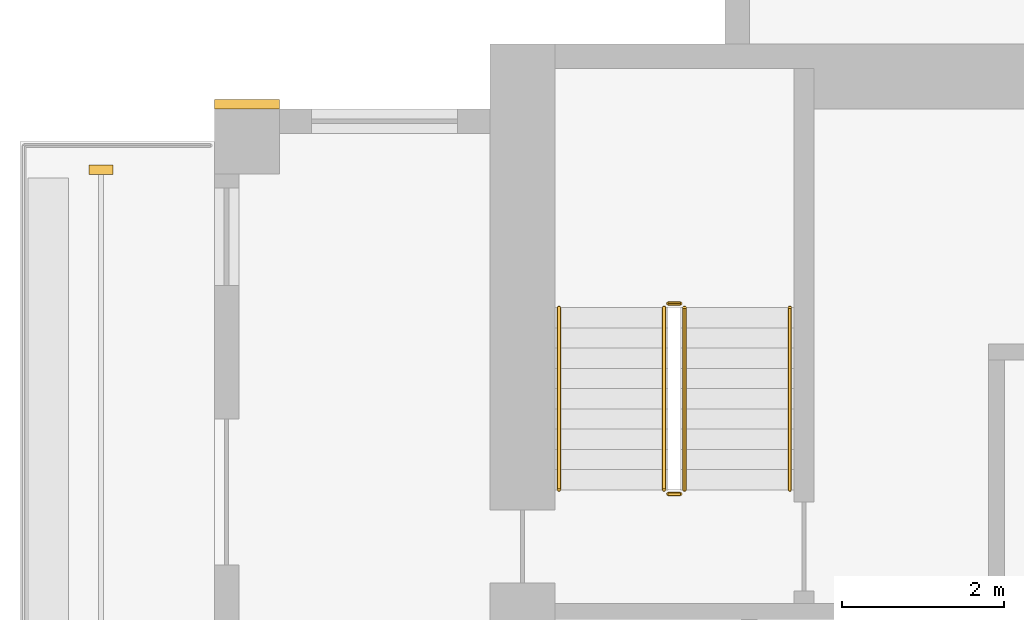
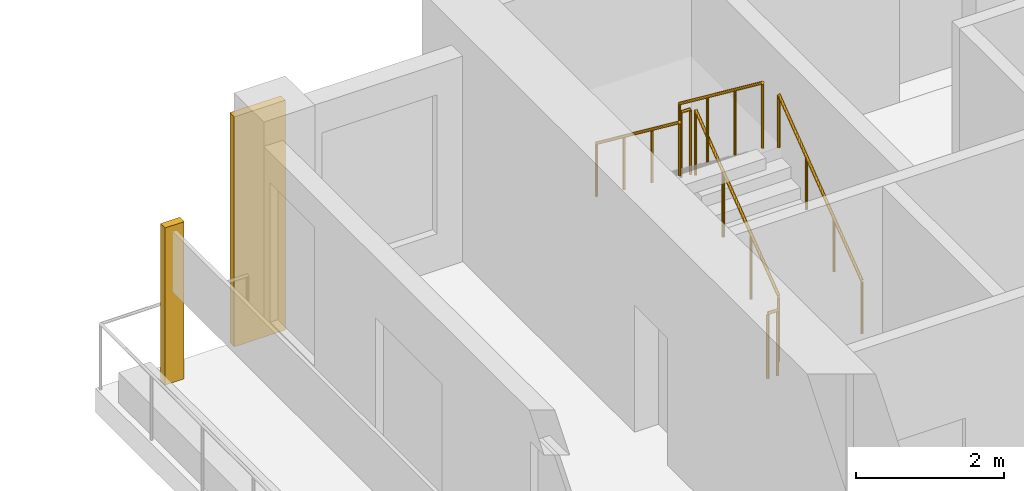
# One storey, part 10 of 12: 6 railings, 2 coverings.
"""IFC4 building model written with IfcOpenShell, lengths in metres."""

from ifc_helpers import new_model, si_unit, direction, frame, origin, origin_2d, place, context, subcontext, project, spatial, rectangle, circle, extrude, source, transform, mapped, material, type_object, element, save


model = new_model("IFC4")

# Units and contexts
model_context = context("Model", 3, precision=1e-05, world=origin(), true_north=direction((0.0, 1.0)))
body_context = subcontext(model_context, "Body", "Model", "MODEL_VIEW")
ifc_project = project(units=[si_unit("LENGTHUNIT", "METRE"), si_unit("AREAUNIT", "SQUARE_METRE"), si_unit("VOLUMEUNIT", "CUBIC_METRE"), si_unit("PLANEANGLEUNIT", "RADIAN"), si_unit("MASSUNIT", "GRAM", prefix="KILO")], contexts=[model_context])

# Site, building, storey
site_placement = place(None, origin())
site = spatial("IfcSite", under=ifc_project, at=site_placement, CompositionType="ELEMENT")
building_placement = place(site_placement, origin())
building = spatial("IfcBuilding", under=site, at=building_placement, Name="Aurelian Terraces", CompositionType="ELEMENT")
storey_placement = place(building_placement, frame((0.0, 0.0, 246.2)))
storey = spatial("IfcBuildingStorey", under=building, at=storey_placement, Name="L56", CompositionType="ELEMENT", Elevation=246.2)

# Coverings
ifc_material_1 = material(Name="Terracotta rainscreen cladding relief", Category="masonry")
covering_type_1 = type_object("IfcCoveringType", Name="FIN-TC", PredefinedType="CLADDING", material=ifc_material_1)
shared_shape_1 = source(origin(), body_context, "Body", "SweptSolid", [
    extrude(rectangle(XDim=0.3, YDim=0.12, at=origin_2d()), origin(), (0.0, 0.0, 1.0), 2.6),
])
covering_1_placement = place(storey_placement, frame((-1.4, 20.25, 0.0), z_axis=(0.0, 0.0, 1.0), x_axis=(1.0, 0.0, 0.0)))
element("IfcCovering", 1, at=covering_1_placement, inside=storey, type_object=covering_type_1, Name="FIN L56 L56-F20-35.1", PredefinedType="CLADDING", context=body_context, shape_type="MappedRepresentation", body=[
    mapped(shared_shape_1, transform((0.0, 0.0, 0.0), scale=1.0)),
])
covering_type_2 = type_object("IfcCoveringType", Name="BAGUETTE-TC", PredefinedType="CLADDING", material=ifc_material_1)
shared_shape_2 = source(origin(), body_context, "Body", "SweptSolid", [
    extrude(rectangle(XDim=0.8, YDim=0.12, at=origin_2d()), origin(), (0.0, 0.0, 1.0), 3.8),
])
covering_2_placement = place(storey_placement, frame((0.4, 21.06, -0.4), z_axis=(0.0, 0.0, 1.0), x_axis=(1.0, 0.0, 0.0)))
element("IfcCovering", 2, at=covering_2_placement, inside=storey, type_object=covering_type_2, Name="BAGUETTE pier L56 4", PredefinedType="CLADDING", context=body_context, shape_type="MappedRepresentation", body=[
    mapped(shared_shape_2, transform((0.0, 0.0, 0.0), scale=1.0)),
])

# Railings
ifc_material_2 = material(Name="Stainless steel", Category="steel")
railing_type_1 = type_object("IfcRailingType", Name="Stair guard 1100", PredefinedType="GUARDRAIL", material=ifc_material_2)
shared_shape_3 = source(origin(), body_context, "Body", "SweptSolid", [
    extrude(circle(Radius=0.024, at=origin_2d()), frame((0.0, 0.0, 1.076), z_axis=(-1.0, 0.0, 0.0), x_axis=(0.0, -1.0, 0.0)), (0.0, 0.0, 1.0), 0.15),
    extrude(circle(Radius=0.021, at=origin_2d()), origin(), (0.0, 0.0, 1.0), 1.052),
    extrude(circle(Radius=0.021, at=origin_2d()), frame((-0.15, 0.0, 0.0)), (0.0, 0.0, 1.0), 1.052),
])
for number, where, name in (
    (3, (5.75, 18.6, 1.9), "L56 S1 stair guard 2"),
    (4, (5.75, 16.25, 0.0), "L56 S1 stair guard 4"),
):
    element("IfcRailing", number, at=place(storey_placement, frame(where)), inside=storey, type_object=railing_type_1, Name=name, PredefinedType="GUARDRAIL", context=body_context, shape_type="MappedRepresentation", body=[
        mapped(shared_shape_3, transform((0.0, 0.0, 0.0), scale=1.0)),
    ])
shared_shape_4 = source(origin(), body_context, "Body", "SweptSolid", [
    extrude(circle(Radius=0.024, at=origin_2d()), frame((0.0, 0.0, 1.076), z_axis=(0.0, 0.796162194123, 0.605083267534), x_axis=(-1.0, 0.0, 0.0)), (0.0, 0.0, 1.0), 2.8261),
    extrude(circle(Radius=0.021, at=origin_2d()), origin(), (0.0, 0.0, 1.0), 1.052),
    extrude(circle(Radius=0.021, at=origin_2d()), frame((0.0, 0.75, 0.57)), (0.0, 0.0, 1.0), 1.052),
    extrude(circle(Radius=0.021, at=origin_2d()), frame((0.0, 1.5, 1.14)), (0.0, 0.0, 1.0), 1.052),
    extrude(circle(Radius=0.021, at=origin_2d()), frame((0.0, 2.25, 1.71)), (0.0, 0.0, 1.0), 1.052),
])
railing_1_placement = place(storey_placement, frame((5.8, 16.3, 0.19)))
element("IfcRailing", 5, at=railing_1_placement, inside=storey, type_object=railing_type_1, Name="L56 S1 stair guard 1", PredefinedType="GUARDRAIL", context=body_context, shape_type="MappedRepresentation", body=[
    mapped(shared_shape_4, transform((0.0, 0.0, 0.0), scale=1.0)),
])
shared_shape_5 = source(origin(), body_context, "Body", "SweptSolid", [
    extrude(circle(Radius=0.024, at=origin_2d()), frame((0.0, 0.0, 1.076), z_axis=(0.0, -0.796162194123, 0.605083267534), x_axis=(1.0, 0.0, 0.0)), (0.0, 0.0, 1.0), 2.8261),
    extrude(circle(Radius=0.021, at=origin_2d()), origin(), (0.0, 0.0, 1.0), 1.052),
    extrude(circle(Radius=0.021, at=origin_2d()), frame((0.0, -0.75, 0.57)), (0.0, 0.0, 1.0), 1.052),
    extrude(circle(Radius=0.021, at=origin_2d()), frame((0.0, -1.5, 1.14)), (0.0, 0.0, 1.0), 1.052),
    extrude(circle(Radius=0.021, at=origin_2d()), frame((0.0, -2.25, 1.71)), (0.0, 0.0, 1.0), 1.052),
])
railing_2_placement = place(storey_placement, frame((5.55, 18.55, 2.09)))
element("IfcRailing", 6, at=railing_2_placement, inside=storey, type_object=railing_type_1, Name="L56 S1 stair guard 3", PredefinedType="GUARDRAIL", context=body_context, shape_type="MappedRepresentation", body=[
    mapped(shared_shape_5, transform((0.0, 0.0, 0.0), scale=1.0)),
])
railing_type_2 = type_object("IfcRailingType", Name="Stair handrail", PredefinedType="HANDRAIL", material=ifc_material_2)
shared_shape_6 = source(origin(), body_context, "Body", "SweptSolid", [
    extrude(circle(Radius=0.024, at=origin_2d()), frame((0.0, 0.0, 0.876), z_axis=(0.0, 0.796162194123, 0.605083267534), x_axis=(-1.0, 0.0, 0.0)), (0.0, 0.0, 1.0), 2.8261),
    extrude(circle(Radius=0.021, at=origin_2d()), origin(), (0.0, 0.0, 1.0), 0.852),
    extrude(circle(Radius=0.021, at=origin_2d()), frame((0.0, 0.75, 0.57)), (0.0, 0.0, 1.0), 0.852),
    extrude(circle(Radius=0.021, at=origin_2d()), frame((0.0, 1.5, 1.14)), (0.0, 0.0, 1.0), 0.852),
    extrude(circle(Radius=0.021, at=origin_2d()), frame((0.0, 2.25, 1.71)), (0.0, 0.0, 1.0), 0.852),
])
railing_3_placement = place(storey_placement, frame((7.1, 16.3, 0.19)))
element("IfcRailing", 7, at=railing_3_placement, inside=storey, type_object=railing_type_2, Name="L56 S1 stair handrail 1", PredefinedType="HANDRAIL", context=body_context, shape_type="MappedRepresentation", body=[
    mapped(shared_shape_6, transform((0.0, 0.0, 0.0), scale=1.0)),
])
shared_shape_7 = source(origin(), body_context, "Body", "SweptSolid", [
    extrude(circle(Radius=0.024, at=origin_2d()), frame((0.0, 0.0, 0.876), z_axis=(0.0, -0.796162194123, 0.605083267534), x_axis=(1.0, 0.0, 0.0)), (0.0, 0.0, 1.0), 2.8261),
    extrude(circle(Radius=0.021, at=origin_2d()), origin(), (0.0, 0.0, 1.0), 0.852),
    extrude(circle(Radius=0.021, at=origin_2d()), frame((0.0, -0.75, 0.57)), (0.0, 0.0, 1.0), 0.852),
    extrude(circle(Radius=0.021, at=origin_2d()), frame((0.0, -1.5, 1.14)), (0.0, 0.0, 1.0), 0.852),
    extrude(circle(Radius=0.021, at=origin_2d()), frame((0.0, -2.25, 1.71)), (0.0, 0.0, 1.0), 0.852),
])
railing_4_placement = place(storey_placement, frame((4.25, 18.55, 2.09)))
element("IfcRailing", 8, at=railing_4_placement, inside=storey, type_object=railing_type_2, Name="L56 S1 stair handrail 2", PredefinedType="HANDRAIL", context=body_context, shape_type="MappedRepresentation", body=[
    mapped(shared_shape_7, transform((0.0, 0.0, 0.0), scale=1.0)),
])

save(model, "model.ifc")
